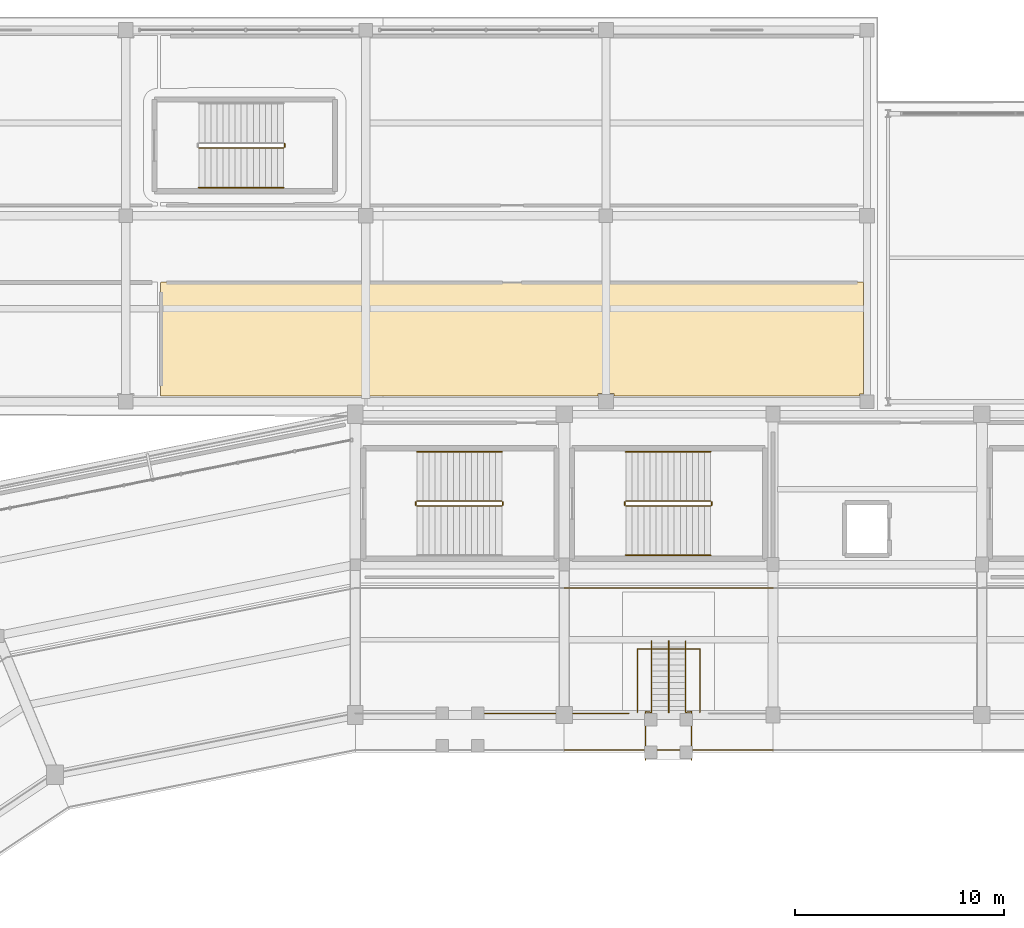
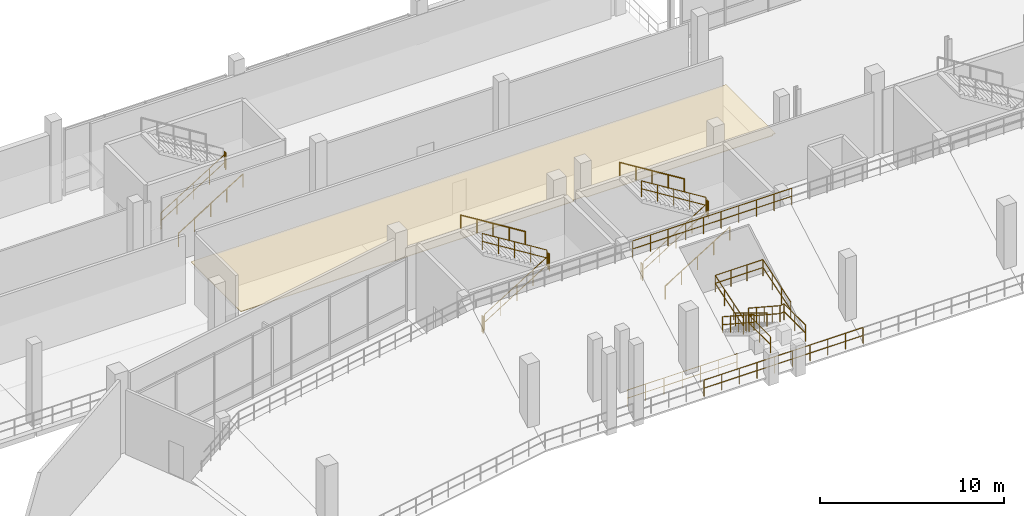
# One storey, part 122 of 127: 21 railings, 1 covering.
"""IFC4 building model written with IfcOpenShell, lengths in metres."""

from ifc_helpers import new_model, si_unit, direction, frame, origin, origin_2d, place, context, subcontext, project, spatial, polyline, circle, outline, extrude, material, layer, layer_set, type_object, element, save


model = new_model("IFC4")

# Units and contexts
model_context = context("Model", 3, precision=1e-05, world=origin(), true_north=direction((0.0, 1.0)))
body_context = subcontext(model_context, "Body", "Model", "MODEL_VIEW")
ifc_project = project(units=[si_unit("LENGTHUNIT", "METRE"), si_unit("AREAUNIT", "SQUARE_METRE"), si_unit("VOLUMEUNIT", "CUBIC_METRE"), si_unit("PLANEANGLEUNIT", "RADIAN"), si_unit("MASSUNIT", "GRAM", prefix="KILO")], contexts=[model_context])

# Site, building, storey
site_placement = place(None, origin())
site = spatial("IfcSite", under=ifc_project, at=site_placement, CompositionType="ELEMENT")
building_placement = place(site_placement, origin())
building = spatial("IfcBuilding", under=site, at=building_placement, Name="Candeia Ridge Stadium", CompositionType="ELEMENT")
storey_placement = place(building_placement, frame((0.0, 0.0, 10.800048828125)))
storey = spatial("IfcBuildingStorey", under=building, at=storey_placement, Name="L02", CompositionType="ELEMENT", Elevation=10.800048828125)

# Covering
ifc_material_1 = material(Name="Western Red Cedar Acoustic Slat", Category="wood")
ifc_layer_1 = layer(ifc_material_1, 0.044921875, Name="Western Red Cedar Acoustic Slat", Category="wood")
ifc_layer_set_1 = layer_set([ifc_layer_1], Name="Western Red Cedar Acoustic Slat")
covering_type = type_object("IfcCoveringType", Name="Slatted Cedar Acoustic Ceiling 45", PredefinedType="CEILING", material=ifc_layer_set_1)
covering_placement = place(storey_placement, frame((0.0, 0.0, 2.510009765625)))
element("IfcCovering", 1, at=covering_placement, inside=storey, type_object=covering_type, Name="Acoustic ceiling Civic Sports Heritage Hall Bowl Side", PredefinedType="CEILING", context=body_context, shape_type="SweptSolid", body=[
    extrude(outline(polyline([(61.694091796875, 147.87060546875), (61.69140625, 147.871337890625), (61.6884765625, 147.872314453125), (61.685791015625, 147.87353515625), (61.683349609375, 147.875), (61.680908203125, 147.876708984375), (61.6787109375, 147.87890625), (61.6767578125, 147.881103515625), (61.675048828125, 147.88330078125), (61.673583984375, 147.885986328125), (61.67236328125, 147.888427734375), (61.67138671875, 147.891357421875), (61.670654296875, 147.89404296875), (61.670166015625, 147.897216796875), (61.669921875, 147.89990234375), (61.669921875, 153.300048828125), (61.670166015625, 153.302978515625), (61.670654296875, 153.305908203125), (61.67138671875, 153.30859375), (61.67236328125, 153.3115234375), (61.673583984375, 153.314208984375), (61.675048828125, 153.316650390625), (61.6767578125, 153.319091796875), (61.6787109375, 153.3212890625), (61.680908203125, 153.3232421875), (61.683349609375, 153.324951171875), (61.685791015625, 153.326416015625), (61.6884765625, 153.32763671875), (61.69140625, 153.32861328125), (61.694091796875, 153.329345703125), (61.697021484375, 153.329833984375), (61.699951171875, 153.330078125), (95.300048828125, 153.330078125), (95.302978515625, 153.329833984375), (95.305908203125, 153.329345703125), (95.30859375, 153.32861328125), (95.3115234375, 153.32763671875), (95.314208984375, 153.326416015625), (95.316650390625, 153.324951171875), (95.319091796875, 153.3232421875), (95.3212890625, 153.3212890625), (95.3232421875, 153.319091796875), (95.324951171875, 153.316650390625), (95.326416015625, 153.314208984375), (95.32763671875, 153.3115234375), (95.32861328125, 153.30859375), (95.329345703125, 153.305908203125), (95.329833984375, 153.302978515625), (95.330078125, 153.300048828125), (95.330078125, 147.965087890625), (95.135009765625, 147.965087890625), (95.135009765625, 147.8701171875), (83.389892578125, 147.8701171875), (83.389892578125, 147.989990234375), (82.610107421875, 147.989990234375), (82.610107421875, 147.8701171875), (61.699951171875, 147.8701171875), (61.697021484375, 147.8701171875), (61.694091796875, 147.87060546875)])), origin(), (0.0, 0.0, 1.0), 0.0400390625),
])

# Railings
ifc_material_2 = material(Name="Galvanized Powder-Coated Steel", Category="steel")
ifc_layer_2 = layer(ifc_material_2, 0.074951171875, Name="Galvanized Powder-Coated Steel", Category="steel")
ifc_layer_set_2 = layer_set([ifc_layer_2], Name="Galvanized Powder-Coated Steel")
railing_type_1 = type_object("IfcRailingType", Name="Spectator Bowl Front Guardrail 1120", PredefinedType="GUARDRAIL", material=ifc_layer_set_2)
for number, where, name in (
    (2, (91.0, 130.919921875, 0.39990234375), "Stand T2 front safety guardrail bay 06"),
    (3, (91.0, 138.679931640625, 4.949951171875), "Stand T2 rear safety guardrail bay 06"),
):
    element("IfcRailing", number, at=place(storey_placement, frame(where)), inside=storey, type_object=railing_type_1, Name=name, PredefinedType="GUARDRAIL", context=body_context, shape_type="SweptSolid", body=[
        extrude(circle(Radius=0.02392578125, at=origin_2d()), frame((0.0, 0.0, 1.09619140625), z_axis=(-1.0, 0.0, 0.0), x_axis=(0.0, -1.0, 0.0)), (0.0, 0.0, 1.0), 10.0),
        extrude(circle(Radius=0.02392578125, at=origin_2d()), frame((0.0, 0.0, 0.56005859375), z_axis=(-1.0, 0.0, 0.0), x_axis=(0.0, -1.0, 0.0)), (0.0, 0.0, 1.0), 10.0),
        extrude(circle(Radius=0.02099609375, at=origin_2d()), origin(), (0.0, 0.0, 1.0), 1.072021484375),
        extrude(circle(Radius=0.02099609375, at=origin_2d()), frame((-1.111083984375, 0.0, 0.0)), (0.0, 0.0, 1.0), 1.072021484375),
        extrude(circle(Radius=0.02099609375, at=origin_2d()), frame((-2.22216796875, 0.0, 0.0)), (0.0, 0.0, 1.0), 1.072021484375),
        extrude(circle(Radius=0.02099609375, at=origin_2d()), frame((-3.333251953125, 0.0, 0.0)), (0.0, 0.0, 1.0), 1.072021484375),
        extrude(circle(Radius=0.02099609375, at=origin_2d()), frame((-4.4443359375, 0.0, 0.0)), (0.0, 0.0, 1.0), 1.072021484375),
        extrude(circle(Radius=0.02099609375, at=origin_2d()), frame((-5.5556640625, 0.0, 0.0)), (0.0, 0.0, 1.0), 1.072021484375),
        extrude(circle(Radius=0.02099609375, at=origin_2d()), frame((-6.666748046875, 0.0, 0.0)), (0.0, 0.0, 1.0), 1.072021484375),
        extrude(circle(Radius=0.02099609375, at=origin_2d()), frame((-7.77783203125, 0.0, 0.0)), (0.0, 0.0, 1.0), 1.072021484375),
        extrude(circle(Radius=0.02099609375, at=origin_2d()), frame((-8.888916015625, 0.0, 0.0)), (0.0, 0.0, 1.0), 1.072021484375),
        extrude(circle(Radius=0.02099609375, at=origin_2d()), frame((-10.0, 0.0, 0.0)), (0.0, 0.0, 1.0), 1.072021484375),
    ])
railing_1_placement = place(storey_placement, frame((84.09765625, 132.679931640625, 0.0)))
element("IfcRailing", 4, at=railing_1_placement, inside=storey, type_object=railing_type_1, Name="Deck edge safety guardrail GR-DE-L02-0104", PredefinedType="GUARDRAIL", context=body_context, shape_type="SweptSolid", body=[
    extrude(circle(Radius=0.02392578125, at=origin_2d()), frame((0.0, 0.0, 1.09619140625), z_axis=(-1.0, 0.0, 0.0), x_axis=(0.0, -1.0, 0.0)), (0.0, 0.0, 1.0), 6.90771484375),
    extrude(circle(Radius=0.02392578125, at=origin_2d()), frame((0.0, 0.0, 0.56005859375), z_axis=(-1.0, 0.0, 0.0), x_axis=(0.0, -1.0, 0.0)), (0.0, 0.0, 1.0), 6.90771484375),
    extrude(circle(Radius=0.02099609375, at=origin_2d()), origin(), (0.0, 0.0, 1.0), 1.072021484375),
    extrude(circle(Radius=0.02099609375, at=origin_2d()), frame((-1.1513671875, 0.0, 0.0)), (0.0, 0.0, 1.0), 1.072021484375),
    extrude(circle(Radius=0.02099609375, at=origin_2d()), frame((-2.302490234375, 0.0, 0.0)), (0.0, 0.0, 1.0), 1.072021484375),
    extrude(circle(Radius=0.02099609375, at=origin_2d()), frame((-3.453857421875, 0.0, 0.0)), (0.0, 0.0, 1.0), 1.072021484375),
    extrude(circle(Radius=0.02099609375, at=origin_2d()), frame((-4.605224609375, 0.0, 0.0)), (0.0, 0.0, 1.0), 1.072021484375),
    extrude(circle(Radius=0.02099609375, at=origin_2d()), frame((-5.75634765625, 0.0, 0.0)), (0.0, 0.0, 1.0), 1.072021484375),
    extrude(circle(Radius=0.02099609375, at=origin_2d()), frame((-6.90771484375, 0.0, 0.0)), (0.0, 0.0, 1.0), 1.072021484375),
])
ifc_material_3 = material(Name="Brushed Stainless Steel", Category="steel")
ifc_layer_3 = layer(ifc_material_3, 0.048095703125, Name="Brushed Stainless Steel", Category="steel")
ifc_layer_set_3 = layer_set([ifc_layer_3], Name="Brushed Stainless Steel")
railing_type_2 = type_object("IfcRailingType", Name="Stair Wall & Flight Handrail 900", PredefinedType="HANDRAIL", material=ifc_layer_set_3)
railing_2_placement = place(storey_placement, frame((78.010009765625, 145.199951171875, 2.8798828125)))
element("IfcRailing", 5, at=railing_2_placement, inside=storey, type_object=railing_type_2, Name="L02 ST01 stair handrail 2", PredefinedType="HANDRAIL", context=body_context, shape_type="SweptSolid", body=[
    extrude(circle(Radius=0.02392578125, at=origin_2d()), frame((0.0, 0.0, 0.8759765625), z_axis=(-0.849641744969, 0.0, 0.527360318194), x_axis=(0.0, -1.0, 0.0)), (0.0, 0.0, 1.0), 4.778564453125),
    extrude(circle(Radius=0.02099609375, at=origin_2d()), origin(), (0.0, 0.0, 1.0), 0.851806640625),
    extrude(circle(Radius=0.02099609375, at=origin_2d()), frame((-1.01513671875, 0.0, 0.6298828125)), (0.0, 0.0, 1.0), 0.851806640625),
    extrude(circle(Radius=0.02099609375, at=origin_2d()), frame((-2.030029296875, 0.0, 1.260009765625)), (0.0, 0.0, 1.0), 0.851806640625),
    extrude(circle(Radius=0.02099609375, at=origin_2d()), frame((-3.044921875, 0.0, 1.89013671875)), (0.0, 0.0, 1.0), 0.851806640625),
    extrude(circle(Radius=0.02099609375, at=origin_2d()), frame((-4.06005859375, 0.0, 2.52001953125)), (0.0, 0.0, 1.0), 0.851806640625),
])
railing_3_placement = place(storey_placement, frame((83.949951171875, 140.25, 0.179931640625)))
element("IfcRailing", 6, at=railing_3_placement, inside=storey, type_object=railing_type_2, Name="L02 ST09 stair handrail 1", PredefinedType="HANDRAIL", context=body_context, shape_type="SweptSolid", body=[
    extrude(circle(Radius=0.02392578125, at=origin_2d()), frame((0.0, 0.0, 0.8759765625), z_axis=(0.849641744969, 0.0, 0.527360318194), x_axis=(0.0, 1.0, 0.0)), (0.0, 0.0, 1.0), 4.778564453125),
    extrude(circle(Radius=0.02099609375, at=origin_2d()), origin(), (0.0, 0.0, 1.0), 0.851806640625),
    extrude(circle(Radius=0.02099609375, at=origin_2d()), frame((1.01513671875, 0.0, 0.6298828125)), (0.0, 0.0, 1.0), 0.851806640625),
    extrude(circle(Radius=0.02099609375, at=origin_2d()), frame((2.030029296875, 0.0, 1.260009765625)), (0.0, 0.0, 1.0), 0.851806640625),
    extrude(circle(Radius=0.02099609375, at=origin_2d()), frame((3.044921875, 0.0, 1.89013671875)), (0.0, 0.0, 1.0), 0.851806640625),
    extrude(circle(Radius=0.02099609375, at=origin_2d()), frame((4.06005859375, 0.0, 2.52001953125)), (0.0, 0.0, 1.0), 0.851806640625),
])
railing_4_placement = place(storey_placement, frame((88.010009765625, 145.199951171875, 2.8798828125)))
element("IfcRailing", 7, at=railing_4_placement, inside=storey, type_object=railing_type_2, Name="L02 ST09 stair handrail 2", PredefinedType="HANDRAIL", context=body_context, shape_type="SweptSolid", body=[
    extrude(circle(Radius=0.02392578125, at=origin_2d()), frame((0.0, 0.0, 0.8759765625), z_axis=(-0.849641744969, 0.0, 0.527360318194), x_axis=(0.0, -1.0, 0.0)), (0.0, 0.0, 1.0), 4.778564453125),
    extrude(circle(Radius=0.02099609375, at=origin_2d()), origin(), (0.0, 0.0, 1.0), 0.851806640625),
    extrude(circle(Radius=0.02099609375, at=origin_2d()), frame((-1.01513671875, 0.0, 0.6298828125)), (0.0, 0.0, 1.0), 0.851806640625),
    extrude(circle(Radius=0.02099609375, at=origin_2d()), frame((-2.030029296875, 0.0, 1.260009765625)), (0.0, 0.0, 1.0), 0.851806640625),
    extrude(circle(Radius=0.02099609375, at=origin_2d()), frame((-3.044921875, 0.0, 1.89013671875)), (0.0, 0.0, 1.0), 0.851806640625),
    extrude(circle(Radius=0.02099609375, at=origin_2d()), frame((-4.06005859375, 0.0, 2.52001953125)), (0.0, 0.0, 1.0), 0.851806640625),
])
railing_5_placement = place(storey_placement, frame((63.5, 157.85009765625, 0.179931640625)))
element("IfcRailing", 8, at=railing_5_placement, inside=storey, type_object=railing_type_2, Name="L02 ST15 stair handrail 1", PredefinedType="HANDRAIL", context=body_context, shape_type="SweptSolid", body=[
    extrude(circle(Radius=0.02392578125, at=origin_2d()), frame((0.0, 0.0, 0.8759765625), z_axis=(0.849641744969, 0.0, 0.527360318194), x_axis=(0.0, 1.0, 0.0)), (0.0, 0.0, 1.0), 4.778564453125),
    extrude(circle(Radius=0.02099609375, at=origin_2d()), origin(), (0.0, 0.0, 1.0), 0.851806640625),
    extrude(circle(Radius=0.02099609375, at=origin_2d()), frame((1.01513671875, 0.0, 0.6298828125)), (0.0, 0.0, 1.0), 0.851806640625),
    extrude(circle(Radius=0.02099609375, at=origin_2d()), frame((2.030029296875, 0.0, 1.260009765625)), (0.0, 0.0, 1.0), 0.851806640625),
    extrude(circle(Radius=0.02099609375, at=origin_2d()), frame((3.044921875, 0.0, 1.89013671875)), (0.0, 0.0, 1.0), 0.851806640625),
    extrude(circle(Radius=0.02099609375, at=origin_2d()), frame((4.06005859375, 0.0, 2.52001953125)), (0.0, 0.0, 1.0), 0.851806640625),
])
railing_6_placement = place(storey_placement, frame((86.0, 136.139892578125, 0.17236328125)))
element("IfcRailing", 9, at=railing_6_placement, inside=storey, type_object=railing_type_2, Name="Vomitory stair handrail VS20", PredefinedType="HANDRAIL", context=body_context, shape_type="SweptSolid", body=[
    extrude(circle(Radius=0.02392578125, at=origin_2d()), frame((0.0, 0.0, 0.8759765625), z_axis=(0.0, -0.855757773658, 0.517376683688), x_axis=(1.0, 0.0, 0.0)), (0.0, 0.0, 1.0), 3.996337890625),
    extrude(circle(Radius=0.02099609375, at=origin_2d()), origin(), (0.0, 0.0, 1.0), 0.851806640625),
    extrude(circle(Radius=0.02099609375, at=origin_2d()), frame((0.0, -0.85498046875, 0.516845703125)), (0.0, 0.0, 1.0), 0.851806640625),
    extrude(circle(Radius=0.02099609375, at=origin_2d()), frame((0.0, -1.7099609375, 1.03369140625)), (0.0, 0.0, 1.0), 0.851806640625),
    extrude(circle(Radius=0.02099609375, at=origin_2d()), frame((0.0, -2.56494140625, 1.55078125)), (0.0, 0.0, 1.0), 0.851806640625),
    extrude(circle(Radius=0.02099609375, at=origin_2d()), frame((0.0, -3.419921875, 2.067626953125)), (0.0, 0.0, 1.0), 0.851806640625),
])
ifc_layer_4 = layer(ifc_material_2, 0.06005859375, Name="Galvanized Powder-Coated Steel", Category="steel")
ifc_layer_set_4 = layer_set([ifc_layer_4], Name="Galvanized Powder-Coated Steel")
railing_type_3 = type_object("IfcRailingType", Name="Stair Well Guardrail 1100", PredefinedType="GUARDRAIL", material=ifc_layer_set_4)
railing_7_placement = place(storey_placement, frame((73.949951171875, 142.60009765625, 0.179931640625)))
element("IfcRailing", 10, at=railing_7_placement, inside=storey, type_object=railing_type_3, Name="L02 ST01 stair guard 1", PredefinedType="GUARDRAIL", context=body_context, shape_type="SweptSolid", body=[
    extrude(circle(Radius=0.02392578125, at=origin_2d()), frame((0.0, 0.0, 1.076171875), z_axis=(0.849641744969, 0.0, 0.527360318194), x_axis=(0.0, 1.0, 0.0)), (0.0, 0.0, 1.0), 4.778564453125),
    extrude(circle(Radius=0.02392578125, at=origin_2d()), frame((0.0, 0.0, 0.550048828125), z_axis=(0.849641744969, 0.0, 0.527360318194), x_axis=(0.0, 1.0, 0.0)), (0.0, 0.0, 1.0), 4.778564453125),
    extrude(circle(Radius=0.02099609375, at=origin_2d()), origin(), (0.0, 0.0, 1.0), 1.052001953125),
    extrude(circle(Radius=0.02099609375, at=origin_2d()), frame((1.01513671875, 0.0, 0.6298828125)), (0.0, 0.0, 1.0), 1.052001953125),
    extrude(circle(Radius=0.02099609375, at=origin_2d()), frame((2.030029296875, 0.0, 1.260009765625)), (0.0, 0.0, 1.0), 1.052001953125),
    extrude(circle(Radius=0.02099609375, at=origin_2d()), frame((3.044921875, 0.0, 1.89013671875)), (0.0, 0.0, 1.0), 1.052001953125),
    extrude(circle(Radius=0.02099609375, at=origin_2d()), frame((4.06005859375, 0.0, 2.52001953125)), (0.0, 0.0, 1.0), 1.052001953125),
])
railing_8_placement = place(storey_placement, frame((78.06005859375, 142.64990234375, 2.699951171875)))
element("IfcRailing", 11, at=railing_8_placement, inside=storey, type_object=railing_type_3, Name="L02 ST01 stair guard 2", PredefinedType="GUARDRAIL", context=body_context, shape_type="SweptSolid", body=[
    extrude(circle(Radius=0.02392578125, at=origin_2d()), frame((0.0, 0.0, 1.076171875), z_axis=(0.0, 1.0, 0.0), x_axis=(-1.0, 0.0, 0.0)), (0.0, 0.0, 1.0), 0.150146484375),
    extrude(circle(Radius=0.02392578125, at=origin_2d()), frame((0.0, 0.0, 0.550048828125), z_axis=(0.0, 1.0, 0.0), x_axis=(-1.0, 0.0, 0.0)), (0.0, 0.0, 1.0), 0.150146484375),
    extrude(circle(Radius=0.02099609375, at=origin_2d()), origin(), (0.0, 0.0, 1.0), 1.052001953125),
    extrude(circle(Radius=0.02099609375, at=origin_2d()), frame((0.0, 0.150146484375, 0.0)), (0.0, 0.0, 1.0), 1.052001953125),
])
railing_9_placement = place(storey_placement, frame((78.010009765625, 142.85009765625, 2.8798828125)))
element("IfcRailing", 12, at=railing_9_placement, inside=storey, type_object=railing_type_3, Name="L02 ST01 stair guard 3", PredefinedType="GUARDRAIL", context=body_context, shape_type="SweptSolid", body=[
    extrude(circle(Radius=0.02392578125, at=origin_2d()), frame((0.0, 0.0, 1.076171875), z_axis=(-0.849641744969, 0.0, 0.527360318194), x_axis=(0.0, -1.0, 0.0)), (0.0, 0.0, 1.0), 4.778564453125),
    extrude(circle(Radius=0.02392578125, at=origin_2d()), frame((0.0, 0.0, 0.550048828125), z_axis=(-0.849641744969, 0.0, 0.527360318194), x_axis=(0.0, -1.0, 0.0)), (0.0, 0.0, 1.0), 4.778564453125),
    extrude(circle(Radius=0.02099609375, at=origin_2d()), origin(), (0.0, 0.0, 1.0), 1.052001953125),
    extrude(circle(Radius=0.02099609375, at=origin_2d()), frame((-1.01513671875, 0.0, 0.6298828125)), (0.0, 0.0, 1.0), 1.052001953125),
    extrude(circle(Radius=0.02099609375, at=origin_2d()), frame((-2.030029296875, 0.0, 1.260009765625)), (0.0, 0.0, 1.0), 1.052001953125),
    extrude(circle(Radius=0.02099609375, at=origin_2d()), frame((-3.044921875, 0.0, 1.89013671875)), (0.0, 0.0, 1.0), 1.052001953125),
    extrude(circle(Radius=0.02099609375, at=origin_2d()), frame((-4.06005859375, 0.0, 2.52001953125)), (0.0, 0.0, 1.0), 1.052001953125),
])
railing_10_placement = place(storey_placement, frame((73.89990234375, 142.64990234375, 0.0)))
element("IfcRailing", 13, at=railing_10_placement, inside=storey, type_object=railing_type_3, Name="L02 ST01 stair guard 4", PredefinedType="GUARDRAIL", context=body_context, shape_type="SweptSolid", body=[
    extrude(circle(Radius=0.02392578125, at=origin_2d()), frame((0.0, 0.0, 1.076171875), z_axis=(0.0, 1.0, 0.0), x_axis=(-1.0, 0.0, 0.0)), (0.0, 0.0, 1.0), 0.150146484375),
    extrude(circle(Radius=0.02392578125, at=origin_2d()), frame((0.0, 0.0, 0.550048828125), z_axis=(0.0, 1.0, 0.0), x_axis=(-1.0, 0.0, 0.0)), (0.0, 0.0, 1.0), 0.150146484375),
    extrude(circle(Radius=0.02099609375, at=origin_2d()), origin(), (0.0, 0.0, 1.0), 1.052001953125),
    extrude(circle(Radius=0.02099609375, at=origin_2d()), frame((0.0, 0.150146484375, 0.0)), (0.0, 0.0, 1.0), 1.052001953125),
])
railing_11_placement = place(storey_placement, frame((83.949951171875, 142.60009765625, 0.179931640625)))
element("IfcRailing", 14, at=railing_11_placement, inside=storey, type_object=railing_type_3, Name="L02 ST09 stair guard 1", PredefinedType="GUARDRAIL", context=body_context, shape_type="SweptSolid", body=[
    extrude(circle(Radius=0.02392578125, at=origin_2d()), frame((0.0, 0.0, 1.076171875), z_axis=(0.849641744969, 0.0, 0.527360318194), x_axis=(0.0, 1.0, 0.0)), (0.0, 0.0, 1.0), 4.778564453125),
    extrude(circle(Radius=0.02392578125, at=origin_2d()), frame((0.0, 0.0, 0.550048828125), z_axis=(0.849641744969, 0.0, 0.527360318194), x_axis=(0.0, 1.0, 0.0)), (0.0, 0.0, 1.0), 4.778564453125),
    extrude(circle(Radius=0.02099609375, at=origin_2d()), origin(), (0.0, 0.0, 1.0), 1.052001953125),
    extrude(circle(Radius=0.02099609375, at=origin_2d()), frame((1.01513671875, 0.0, 0.6298828125)), (0.0, 0.0, 1.0), 1.052001953125),
    extrude(circle(Radius=0.02099609375, at=origin_2d()), frame((2.030029296875, 0.0, 1.260009765625)), (0.0, 0.0, 1.0), 1.052001953125),
    extrude(circle(Radius=0.02099609375, at=origin_2d()), frame((3.044921875, 0.0, 1.89013671875)), (0.0, 0.0, 1.0), 1.052001953125),
    extrude(circle(Radius=0.02099609375, at=origin_2d()), frame((4.06005859375, 0.0, 2.52001953125)), (0.0, 0.0, 1.0), 1.052001953125),
])
railing_12_placement = place(storey_placement, frame((88.06005859375, 142.64990234375, 2.699951171875)))
element("IfcRailing", 15, at=railing_12_placement, inside=storey, type_object=railing_type_3, Name="L02 ST09 stair guard 2", PredefinedType="GUARDRAIL", context=body_context, shape_type="SweptSolid", body=[
    extrude(circle(Radius=0.02392578125, at=origin_2d()), frame((0.0, 0.0, 1.076171875), z_axis=(0.0, 1.0, 0.0), x_axis=(-1.0, 0.0, 0.0)), (0.0, 0.0, 1.0), 0.150146484375),
    extrude(circle(Radius=0.02392578125, at=origin_2d()), frame((0.0, 0.0, 0.550048828125), z_axis=(0.0, 1.0, 0.0), x_axis=(-1.0, 0.0, 0.0)), (0.0, 0.0, 1.0), 0.150146484375),
    extrude(circle(Radius=0.02099609375, at=origin_2d()), origin(), (0.0, 0.0, 1.0), 1.052001953125),
    extrude(circle(Radius=0.02099609375, at=origin_2d()), frame((0.0, 0.150146484375, 0.0)), (0.0, 0.0, 1.0), 1.052001953125),
])
railing_13_placement = place(storey_placement, frame((88.010009765625, 142.85009765625, 2.8798828125)))
element("IfcRailing", 16, at=railing_13_placement, inside=storey, type_object=railing_type_3, Name="L02 ST09 stair guard 3", PredefinedType="GUARDRAIL", context=body_context, shape_type="SweptSolid", body=[
    extrude(circle(Radius=0.02392578125, at=origin_2d()), frame((0.0, 0.0, 1.076171875), z_axis=(-0.849641744969, 0.0, 0.527360318194), x_axis=(0.0, -1.0, 0.0)), (0.0, 0.0, 1.0), 4.778564453125),
    extrude(circle(Radius=0.02392578125, at=origin_2d()), frame((0.0, 0.0, 0.550048828125), z_axis=(-0.849641744969, 0.0, 0.527360318194), x_axis=(0.0, -1.0, 0.0)), (0.0, 0.0, 1.0), 4.778564453125),
    extrude(circle(Radius=0.02099609375, at=origin_2d()), origin(), (0.0, 0.0, 1.0), 1.052001953125),
    extrude(circle(Radius=0.02099609375, at=origin_2d()), frame((-1.01513671875, 0.0, 0.6298828125)), (0.0, 0.0, 1.0), 1.052001953125),
    extrude(circle(Radius=0.02099609375, at=origin_2d()), frame((-2.030029296875, 0.0, 1.260009765625)), (0.0, 0.0, 1.0), 1.052001953125),
    extrude(circle(Radius=0.02099609375, at=origin_2d()), frame((-3.044921875, 0.0, 1.89013671875)), (0.0, 0.0, 1.0), 1.052001953125),
    extrude(circle(Radius=0.02099609375, at=origin_2d()), frame((-4.06005859375, 0.0, 2.52001953125)), (0.0, 0.0, 1.0), 1.052001953125),
])
railing_14_placement = place(storey_placement, frame((83.89990234375, 142.64990234375, 0.0)))
element("IfcRailing", 17, at=railing_14_placement, inside=storey, type_object=railing_type_3, Name="L02 ST09 stair guard 4", PredefinedType="GUARDRAIL", context=body_context, shape_type="SweptSolid", body=[
    extrude(circle(Radius=0.02392578125, at=origin_2d()), frame((0.0, 0.0, 1.076171875), z_axis=(0.0, 1.0, 0.0), x_axis=(-1.0, 0.0, 0.0)), (0.0, 0.0, 1.0), 0.150146484375),
    extrude(circle(Radius=0.02392578125, at=origin_2d()), frame((0.0, 0.0, 0.550048828125), z_axis=(0.0, 1.0, 0.0), x_axis=(-1.0, 0.0, 0.0)), (0.0, 0.0, 1.0), 0.150146484375),
    extrude(circle(Radius=0.02099609375, at=origin_2d()), origin(), (0.0, 0.0, 1.0), 1.052001953125),
    extrude(circle(Radius=0.02099609375, at=origin_2d()), frame((0.0, 0.150146484375, 0.0)), (0.0, 0.0, 1.0), 1.052001953125),
])
railing_15_placement = place(storey_placement, frame((63.5, 159.75, 0.179931640625)))
element("IfcRailing", 18, at=railing_15_placement, inside=storey, type_object=railing_type_3, Name="L02 ST15 stair guard 1", PredefinedType="GUARDRAIL", context=body_context, shape_type="SweptSolid", body=[
    extrude(circle(Radius=0.02392578125, at=origin_2d()), frame((0.0, 0.0, 1.076171875), z_axis=(0.849641744969, 0.0, 0.527360318194), x_axis=(0.0, 1.0, 0.0)), (0.0, 0.0, 1.0), 4.778564453125),
    extrude(circle(Radius=0.02392578125, at=origin_2d()), frame((0.0, 0.0, 0.550048828125), z_axis=(0.849641744969, 0.0, 0.527360318194), x_axis=(0.0, 1.0, 0.0)), (0.0, 0.0, 1.0), 4.778564453125),
    extrude(circle(Radius=0.02099609375, at=origin_2d()), origin(), (0.0, 0.0, 1.0), 1.052001953125),
    extrude(circle(Radius=0.02099609375, at=origin_2d()), frame((1.01513671875, 0.0, 0.6298828125)), (0.0, 0.0, 1.0), 1.052001953125),
    extrude(circle(Radius=0.02099609375, at=origin_2d()), frame((2.030029296875, 0.0, 1.260009765625)), (0.0, 0.0, 1.0), 1.052001953125),
    extrude(circle(Radius=0.02099609375, at=origin_2d()), frame((3.044921875, 0.0, 1.89013671875)), (0.0, 0.0, 1.0), 1.052001953125),
    extrude(circle(Radius=0.02099609375, at=origin_2d()), frame((4.06005859375, 0.0, 2.52001953125)), (0.0, 0.0, 1.0), 1.052001953125),
])
railing_16_placement = place(storey_placement, frame((67.610107421875, 159.800048828125, 2.699951171875)))
element("IfcRailing", 19, at=railing_16_placement, inside=storey, type_object=railing_type_3, Name="L02 ST15 stair guard 2", PredefinedType="GUARDRAIL", context=body_context, shape_type="SweptSolid", body=[
    extrude(circle(Radius=0.02392578125, at=origin_2d()), frame((0.0, 0.0, 1.076171875), z_axis=(0.0, 1.0, 0.0), x_axis=(-1.0, 0.0, 0.0)), (0.0, 0.0, 1.0), 0.14990234375),
    extrude(circle(Radius=0.02392578125, at=origin_2d()), frame((0.0, 0.0, 0.550048828125), z_axis=(0.0, 1.0, 0.0), x_axis=(-1.0, 0.0, 0.0)), (0.0, 0.0, 1.0), 0.14990234375),
    extrude(circle(Radius=0.02099609375, at=origin_2d()), origin(), (0.0, 0.0, 1.0), 1.052001953125),
    extrude(circle(Radius=0.02099609375, at=origin_2d()), frame((0.0, 0.14990234375, 0.0)), (0.0, 0.0, 1.0), 1.052001953125),
])
ifc_layer_5 = layer(ifc_material_2, 0.070068359375, Name="Galvanized Powder-Coated Steel", Category="steel")
ifc_layer_set_5 = layer_set([ifc_layer_5], Name="Galvanized Powder-Coated Steel")
railing_type_4 = type_object("IfcRailingType", Name="Vomitory Portal Guardrail 1100", PredefinedType="GUARDRAIL", material=ifc_layer_set_5)
railing_17_placement = place(storey_placement, frame((87.5, 132.719970703125, 2.239990234375)))
element("IfcRailing", 20, at=railing_17_placement, inside=storey, type_object=railing_type_4, Name="Vomitory portal guardrail VS20", PredefinedType="GUARDRAIL", context=body_context, shape_type="SweptSolid", body=[
    extrude(circle(Radius=0.02392578125, at=origin_2d()), frame((0.0, 0.0, 1.076171875), z_axis=(0.0, 0.95168124109, 0.307087634653), x_axis=(-1.0, 0.0, 0.0)), (0.0, 0.0, 1.0), 3.1943359375),
    extrude(circle(Radius=0.02392578125, at=origin_2d()), frame((0.0, 0.0, 0.550048828125), z_axis=(0.0, 0.95168124109, 0.307087634653), x_axis=(-1.0, 0.0, 0.0)), (0.0, 0.0, 1.0), 3.1943359375),
    extrude(circle(Radius=0.02392578125, at=origin_2d()), frame((0.0, 3.0400390625, 2.05712890625), z_axis=(-1.0, 0.0, 0.0), x_axis=(0.0, -1.0, 0.0)), (0.0, 0.0, 1.0), 3.0),
    extrude(circle(Radius=0.02392578125, at=origin_2d()), frame((0.0, 3.0400390625, 1.531005859375), z_axis=(-1.0, 0.0, 0.0), x_axis=(0.0, -1.0, 0.0)), (0.0, 0.0, 1.0), 3.0),
    extrude(circle(Radius=0.02392578125, at=origin_2d()), frame((-3.0, 3.0400390625, 2.05712890625), z_axis=(0.0, -0.95168124109, -0.307087634653), x_axis=(1.0, 0.0, 0.0)), (0.0, 0.0, 1.0), 3.1943359375),
    extrude(circle(Radius=0.02392578125, at=origin_2d()), frame((-3.0, 3.0400390625, 1.531005859375), z_axis=(0.0, -0.95168124109, -0.307087634653), x_axis=(1.0, 0.0, 0.0)), (0.0, 0.0, 1.0), 3.1943359375),
    extrude(circle(Radius=0.02099609375, at=origin_2d()), origin(), (0.0, 0.0, 1.0), 1.052001953125),
    extrude(circle(Radius=0.02099609375, at=origin_2d()), frame((0.0, 1.013427734375, 0.326904296875)), (0.0, 0.0, 1.0), 1.052001953125),
    extrude(circle(Radius=0.02099609375, at=origin_2d()), frame((0.0, 2.026611328125, 0.654052734375)), (0.0, 0.0, 1.0), 1.052001953125),
    extrude(circle(Radius=0.02099609375, at=origin_2d()), frame((0.0, 3.0400390625, 0.98095703125)), (0.0, 0.0, 1.0), 1.052001953125),
    extrude(circle(Radius=0.02099609375, at=origin_2d()), frame((-1.0, 3.0400390625, 0.98095703125)), (0.0, 0.0, 1.0), 1.052001953125),
    extrude(circle(Radius=0.02099609375, at=origin_2d()), frame((-2.0, 3.0400390625, 0.98095703125)), (0.0, 0.0, 1.0), 1.052001953125),
    extrude(circle(Radius=0.02099609375, at=origin_2d()), frame((-3.0, 3.0400390625, 0.98095703125)), (0.0, 0.0, 1.0), 1.052001953125),
    extrude(circle(Radius=0.02099609375, at=origin_2d()), frame((-3.0, 2.026611328125, 0.654052734375)), (0.0, 0.0, 1.0), 1.052001953125),
    extrude(circle(Radius=0.02099609375, at=origin_2d()), frame((-3.0, 1.013427734375, 0.326904296875)), (0.0, 0.0, 1.0), 1.052001953125),
    extrude(circle(Radius=0.02099609375, at=origin_2d()), frame((-3.0, 0.0, 0.0)), (0.0, 0.0, 1.0), 1.052001953125),
])
railing_18_placement = place(storey_placement, frame((86.820068359375, 136.139892578125, 0.0)))
element("IfcRailing", 21, at=railing_18_placement, inside=storey, type_object=railing_type_4, Name="Vomitory stair & landing side guardrail VS20-L", PredefinedType="GUARDRAIL", context=body_context, shape_type="SweptSolid", body=[
    extrude(circle(Radius=0.02392578125, at=origin_2d()), frame((0.0, 0.0, 1.076171875), z_axis=(0.0, -0.836533807629, 0.547915311607), x_axis=(1.0, 0.0, 0.0)), (0.0, 0.0, 1.0), 4.088134765625),
    extrude(circle(Radius=0.02392578125, at=origin_2d()), frame((0.0, 0.0, 0.550048828125), z_axis=(0.0, -0.836533807629, 0.547915311607), x_axis=(1.0, 0.0, 0.0)), (0.0, 0.0, 1.0), 4.088134765625),
    extrude(circle(Radius=0.02392578125, at=origin_2d()), frame((0.0, -3.419921875, 3.31591796875), z_axis=(0.989932225045, 0.141542183877, 0.0), x_axis=(-0.141542183877, 0.989932225045, 0.0)), (0.0, 0.0, 1.0), 0.282958984375),
    extrude(circle(Radius=0.02392578125, at=origin_2d()), frame((0.0, -3.419921875, 2.7900390625), z_axis=(0.989932225045, 0.141542183877, 0.0), x_axis=(-0.141542183877, 0.989932225045, 0.0)), (0.0, 0.0, 1.0), 0.282958984375),
    extrude(circle(Radius=0.02392578125, at=origin_2d()), frame((0.280029296875, -3.3798828125, 3.31591796875), z_axis=(0.0, -1.0, 0.0), x_axis=(1.0, 0.0, 0.0)), (0.0, 0.0, 1.0), 2.320068359375),
    extrude(circle(Radius=0.02392578125, at=origin_2d()), frame((0.280029296875, -3.3798828125, 2.7900390625), z_axis=(0.0, -1.0, 0.0), x_axis=(1.0, 0.0, 0.0)), (0.0, 0.0, 1.0), 2.320068359375),
    extrude(circle(Radius=0.02099609375, at=origin_2d()), origin(), (0.0, 0.0, 1.0), 1.052001953125),
    extrude(circle(Radius=0.02099609375, at=origin_2d()), frame((0.0, -0.85498046875, 0.56005859375)), (0.0, 0.0, 1.0), 1.052001953125),
    extrude(circle(Radius=0.02099609375, at=origin_2d()), frame((0.0, -1.7099609375, 1.1201171875)), (0.0, 0.0, 1.0), 1.052001953125),
    extrude(circle(Radius=0.02099609375, at=origin_2d()), frame((0.0, -2.56494140625, 1.679931640625)), (0.0, 0.0, 1.0), 1.052001953125),
    extrude(circle(Radius=0.02099609375, at=origin_2d()), frame((0.0, -3.419921875, 2.239990234375)), (0.0, 0.0, 1.0), 1.052001953125),
    extrude(circle(Radius=0.02099609375, at=origin_2d()), frame((0.280029296875, -3.3798828125, 2.239990234375)), (0.0, 0.0, 1.0), 1.052001953125),
    extrude(circle(Radius=0.02099609375, at=origin_2d()), frame((0.280029296875, -4.5400390625, 2.239990234375)), (0.0, 0.0, 1.0), 1.052001953125),
    extrude(circle(Radius=0.02099609375, at=origin_2d()), frame((0.280029296875, -5.699951171875, 2.239990234375)), (0.0, 0.0, 1.0), 1.052001953125),
])
railing_19_placement = place(storey_placement, frame((85.179931640625, 136.139892578125, 0.0)))
element("IfcRailing", 22, at=railing_19_placement, inside=storey, type_object=railing_type_4, Name="Vomitory stair & landing side guardrail VS20-R", PredefinedType="GUARDRAIL", context=body_context, shape_type="SweptSolid", body=[
    extrude(circle(Radius=0.02392578125, at=origin_2d()), frame((0.0, 0.0, 1.076171875), z_axis=(0.0, -0.836533807629, 0.547915311607), x_axis=(1.0, 0.0, 0.0)), (0.0, 0.0, 1.0), 4.088134765625),
    extrude(circle(Radius=0.02392578125, at=origin_2d()), frame((0.0, 0.0, 0.550048828125), z_axis=(0.0, -0.836533807629, 0.547915311607), x_axis=(1.0, 0.0, 0.0)), (0.0, 0.0, 1.0), 4.088134765625),
    extrude(circle(Radius=0.02392578125, at=origin_2d()), frame((0.0, -3.419921875, 3.31591796875), z_axis=(-0.989932225045, 0.141542183877, 0.0), x_axis=(-0.141542183877, -0.989932225045, 0.0)), (0.0, 0.0, 1.0), 0.282958984375),
    extrude(circle(Radius=0.02392578125, at=origin_2d()), frame((0.0, -3.419921875, 2.7900390625), z_axis=(-0.989932225045, 0.141542183877, 0.0), x_axis=(-0.141542183877, -0.989932225045, 0.0)), (0.0, 0.0, 1.0), 0.282958984375),
    extrude(circle(Radius=0.02392578125, at=origin_2d()), frame((-0.280029296875, -3.3798828125, 3.31591796875), z_axis=(0.0, -1.0, 0.0), x_axis=(1.0, 0.0, 0.0)), (0.0, 0.0, 1.0), 2.320068359375),
    extrude(circle(Radius=0.02392578125, at=origin_2d()), frame((-0.280029296875, -3.3798828125, 2.7900390625), z_axis=(0.0, -1.0, 0.0), x_axis=(1.0, 0.0, 0.0)), (0.0, 0.0, 1.0), 2.320068359375),
    extrude(circle(Radius=0.02099609375, at=origin_2d()), origin(), (0.0, 0.0, 1.0), 1.052001953125),
    extrude(circle(Radius=0.02099609375, at=origin_2d()), frame((0.0, -0.85498046875, 0.56005859375)), (0.0, 0.0, 1.0), 1.052001953125),
    extrude(circle(Radius=0.02099609375, at=origin_2d()), frame((0.0, -1.7099609375, 1.1201171875)), (0.0, 0.0, 1.0), 1.052001953125),
    extrude(circle(Radius=0.02099609375, at=origin_2d()), frame((0.0, -2.56494140625, 1.679931640625)), (0.0, 0.0, 1.0), 1.052001953125),
    extrude(circle(Radius=0.02099609375, at=origin_2d()), frame((0.0, -3.419921875, 2.239990234375)), (0.0, 0.0, 1.0), 1.052001953125),
    extrude(circle(Radius=0.02099609375, at=origin_2d()), frame((-0.280029296875, -3.3798828125, 2.239990234375)), (0.0, 0.0, 1.0), 1.052001953125),
    extrude(circle(Radius=0.02099609375, at=origin_2d()), frame((-0.280029296875, -4.5400390625, 2.239990234375)), (0.0, 0.0, 1.0), 1.052001953125),
    extrude(circle(Radius=0.02099609375, at=origin_2d()), frame((-0.280029296875, -5.699951171875, 2.239990234375)), (0.0, 0.0, 1.0), 1.052001953125),
])

save(model, "model.ifc")
